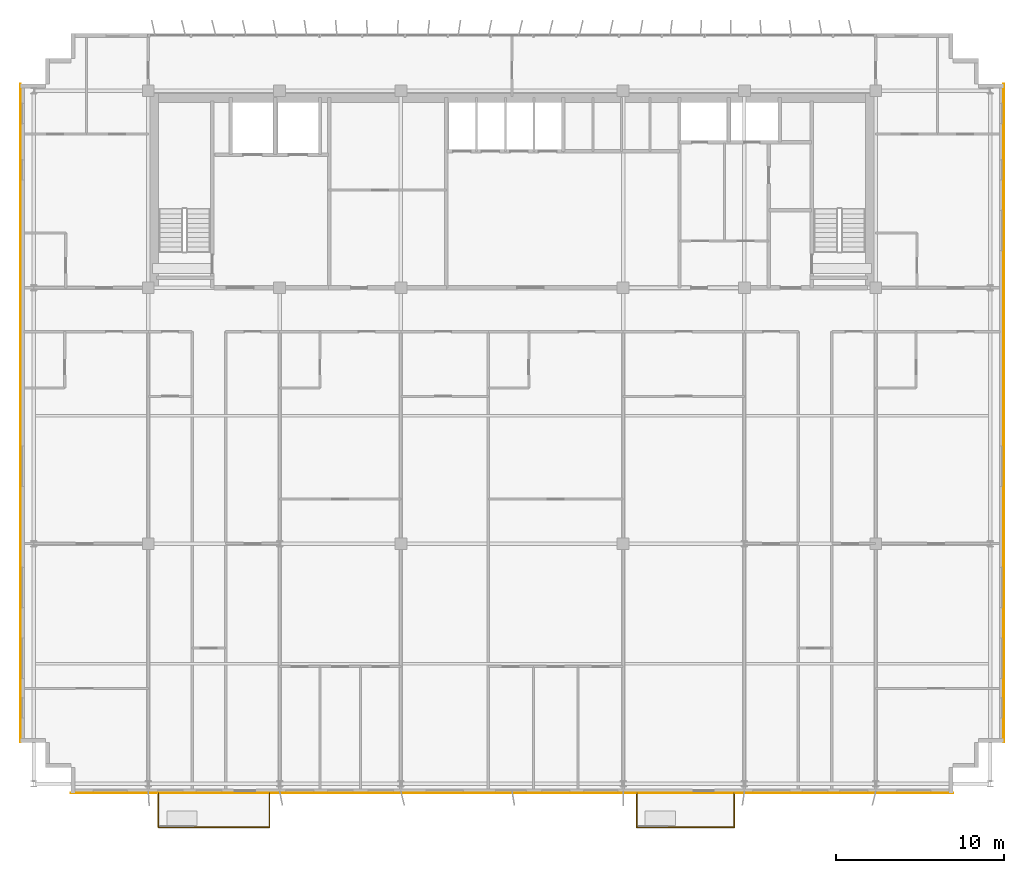
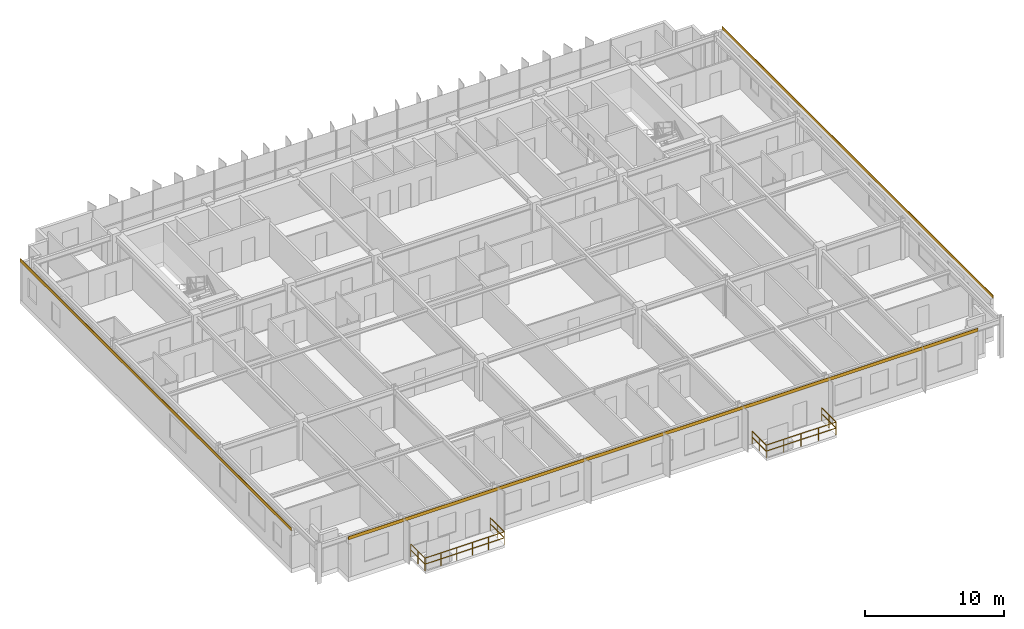
# One storey, part 22 of 23: 6 railings, 3 coverings.
"""IFC4 building model written with IfcOpenShell, lengths in metres."""

from ifc_helpers import new_model, si_unit, direction, frame, origin, origin_2d, place, context, subcontext, project, spatial, rectangle, extrude, source, transform, mapped, material, layer, layer_set, type_object, element, save


model = new_model("IFC4")

# Units and contexts
model_context = context("Model", 3, precision=1e-05, world=origin(), true_north=direction((0.0, 1.0)))
body_context = subcontext(model_context, "Body", "Model", "MODEL_VIEW")
ifc_project = project(units=[si_unit("LENGTHUNIT", "METRE"), si_unit("AREAUNIT", "SQUARE_METRE"), si_unit("VOLUMEUNIT", "CUBIC_METRE"), si_unit("PLANEANGLEUNIT", "RADIAN"), si_unit("MASSUNIT", "GRAM", prefix="KILO")], contexts=[model_context])

# Site, building, storey
site_placement = place(None, origin())
site = spatial("IfcSite", under=ifc_project, at=site_placement, CompositionType="ELEMENT")
building_placement = place(site_placement, origin())
building = spatial("IfcBuilding", under=site, at=building_placement, Name="Trelvane Seafront Commons", CompositionType="ELEMENT")
storey_placement = place(building_placement, frame((0.0, 0.0, 204.89990234375)))
storey = spatial("IfcBuildingStorey", under=building, at=storey_placement, Name="L53", CompositionType="ELEMENT", Elevation=204.89990234375)

# Railings
ifc_material_1 = material(Name="Stainless steel balustrade", Category="steel")
railing_type = type_object("IfcRailingType", Name="ARCH-RAIL-BAL1150", PredefinedType="BALUSTRADE", material=ifc_material_1)
railing_1_placement = place(storey_placement, frame((16.199951171875, 3.39990234375, 0.0)))
element("IfcRailing", 1, at=railing_1_placement, inside=storey, type_object=railing_type, Name="RL-L53-BAL0-01", PredefinedType="BALUSTRADE", context=body_context, shape_type="SweptSolid", body=[
    extrude(rectangle(XDim=0.048095703125, YDim=0.048095703125, at=origin_2d()), frame((0.0, 0.0, 1.1259765625), z_axis=(0.0, -1.0, 0.0), x_axis=(1.0, 0.0, 0.0)), (0.0, 0.0, 1.0), 2.039794921875),
    extrude(rectangle(XDim=0.048095703125, YDim=0.048095703125, at=origin_2d()), frame((0.0, 0.0, 0.597900390625), z_axis=(0.0, -1.0, 0.0), x_axis=(1.0, 0.0, 0.0)), (0.0, 0.0, 1.0), 2.039794921875),
    extrude(rectangle(XDim=0.0419921875, YDim=0.0419921875, at=origin_2d()), origin(), (0.0, 0.0, 1.0), 1.1259765625),
    extrude(rectangle(XDim=0.0419921875, YDim=0.0419921875, at=origin_2d()), frame((0.0, -1.02001953125, 0.0)), (0.0, 0.0, 1.0), 1.1259765625),
    extrude(rectangle(XDim=0.0419921875, YDim=0.0419921875, at=origin_2d()), frame((0.0, -2.039794921875, 0.0)), (0.0, 0.0, 1.0), 1.1259765625),
])
railing_2_placement = place(storey_placement, frame((16.199951171875, 1.360107421875, 0.0)))
element("IfcRailing", 2, at=railing_2_placement, inside=storey, type_object=railing_type, Name="RL-L53-BAL0-02", PredefinedType="BALUSTRADE", context=body_context, shape_type="SweptSolid", body=[
    extrude(rectangle(XDim=0.048095703125, YDim=0.048095703125, at=origin_2d()), frame((0.0, 0.0, 1.1259765625), z_axis=(1.0, 0.0, 0.0), x_axis=(0.0, 1.0, 0.0)), (0.0, 0.0, 1.0), 6.60009765625),
    extrude(rectangle(XDim=0.048095703125, YDim=0.048095703125, at=origin_2d()), frame((0.0, 0.0, 0.597900390625), z_axis=(1.0, 0.0, 0.0), x_axis=(0.0, 1.0, 0.0)), (0.0, 0.0, 1.0), 6.60009765625),
    extrude(rectangle(XDim=0.0419921875, YDim=0.0419921875, at=origin_2d()), origin(), (0.0, 0.0, 1.0), 1.1259765625),
    extrude(rectangle(XDim=0.0419921875, YDim=0.0419921875, at=origin_2d()), frame((1.320068359375, 0.0, 0.0)), (0.0, 0.0, 1.0), 1.1259765625),
    extrude(rectangle(XDim=0.0419921875, YDim=0.0419921875, at=origin_2d()), frame((2.64013671875, 0.0, 0.0)), (0.0, 0.0, 1.0), 1.1259765625),
    extrude(rectangle(XDim=0.0419921875, YDim=0.0419921875, at=origin_2d()), frame((3.9599609375, 0.0, 0.0)), (0.0, 0.0, 1.0), 1.1259765625),
    extrude(rectangle(XDim=0.0419921875, YDim=0.0419921875, at=origin_2d()), frame((5.280029296875, 0.0, 0.0)), (0.0, 0.0, 1.0), 1.1259765625),
    extrude(rectangle(XDim=0.0419921875, YDim=0.0419921875, at=origin_2d()), frame((6.60009765625, 0.0, 0.0)), (0.0, 0.0, 1.0), 1.1259765625),
])
railing_3_placement = place(storey_placement, frame((22.800048828125, 1.360107421875, 0.0)))
element("IfcRailing", 3, at=railing_3_placement, inside=storey, type_object=railing_type, Name="RL-L53-BAL0-03", PredefinedType="BALUSTRADE", context=body_context, shape_type="SweptSolid", body=[
    extrude(rectangle(XDim=0.048095703125, YDim=0.048095703125, at=origin_2d()), frame((0.0, 0.0, 1.1259765625), z_axis=(0.0, 1.0, 0.0), x_axis=(-1.0, 0.0, 0.0)), (0.0, 0.0, 1.0), 2.039794921875),
    extrude(rectangle(XDim=0.048095703125, YDim=0.048095703125, at=origin_2d()), frame((0.0, 0.0, 0.597900390625), z_axis=(0.0, 1.0, 0.0), x_axis=(-1.0, 0.0, 0.0)), (0.0, 0.0, 1.0), 2.039794921875),
    extrude(rectangle(XDim=0.0419921875, YDim=0.0419921875, at=origin_2d()), origin(), (0.0, 0.0, 1.0), 1.1259765625),
    extrude(rectangle(XDim=0.0419921875, YDim=0.0419921875, at=origin_2d()), frame((0.0, 1.02001953125, 0.0)), (0.0, 0.0, 1.0), 1.1259765625),
    extrude(rectangle(XDim=0.0419921875, YDim=0.0419921875, at=origin_2d()), frame((0.0, 2.039794921875, 0.0)), (0.0, 0.0, 1.0), 1.1259765625),
])
railing_4_placement = place(storey_placement, frame((44.60009765625, 3.39990234375, 0.0)))
element("IfcRailing", 4, at=railing_4_placement, inside=storey, type_object=railing_type, Name="RL-L53-BAL1-01", PredefinedType="BALUSTRADE", context=body_context, shape_type="SweptSolid", body=[
    extrude(rectangle(XDim=0.048095703125, YDim=0.048095703125, at=origin_2d()), frame((0.0, 0.0, 1.1259765625), z_axis=(0.0, -1.0, 0.0), x_axis=(1.0, 0.0, 0.0)), (0.0, 0.0, 1.0), 2.039794921875),
    extrude(rectangle(XDim=0.048095703125, YDim=0.048095703125, at=origin_2d()), frame((0.0, 0.0, 0.597900390625), z_axis=(0.0, -1.0, 0.0), x_axis=(1.0, 0.0, 0.0)), (0.0, 0.0, 1.0), 2.039794921875),
    extrude(rectangle(XDim=0.0419921875, YDim=0.0419921875, at=origin_2d()), origin(), (0.0, 0.0, 1.0), 1.1259765625),
    extrude(rectangle(XDim=0.0419921875, YDim=0.0419921875, at=origin_2d()), frame((0.0, -1.02001953125, 0.0)), (0.0, 0.0, 1.0), 1.1259765625),
    extrude(rectangle(XDim=0.0419921875, YDim=0.0419921875, at=origin_2d()), frame((0.0, -2.039794921875, 0.0)), (0.0, 0.0, 1.0), 1.1259765625),
])
railing_5_placement = place(storey_placement, frame((44.60009765625, 1.360107421875, 0.0)))
element("IfcRailing", 5, at=railing_5_placement, inside=storey, type_object=railing_type, Name="RL-L53-BAL1-02", PredefinedType="BALUSTRADE", context=body_context, shape_type="SweptSolid", body=[
    extrude(rectangle(XDim=0.048095703125, YDim=0.048095703125, at=origin_2d()), frame((0.0, 0.0, 1.1259765625), z_axis=(1.0, 0.0, 0.0), x_axis=(0.0, 1.0, 0.0)), (0.0, 0.0, 1.0), 5.7998046875),
    extrude(rectangle(XDim=0.048095703125, YDim=0.048095703125, at=origin_2d()), frame((0.0, 0.0, 0.597900390625), z_axis=(1.0, 0.0, 0.0), x_axis=(0.0, 1.0, 0.0)), (0.0, 0.0, 1.0), 5.7998046875),
    extrude(rectangle(XDim=0.0419921875, YDim=0.0419921875, at=origin_2d()), origin(), (0.0, 0.0, 1.0), 1.1259765625),
    extrude(rectangle(XDim=0.0419921875, YDim=0.0419921875, at=origin_2d()), frame((1.449951171875, 0.0, 0.0)), (0.0, 0.0, 1.0), 1.1259765625),
    extrude(rectangle(XDim=0.0419921875, YDim=0.0419921875, at=origin_2d()), frame((2.89990234375, 0.0, 0.0)), (0.0, 0.0, 1.0), 1.1259765625),
    extrude(rectangle(XDim=0.0419921875, YDim=0.0419921875, at=origin_2d()), frame((4.349853515625, 0.0, 0.0)), (0.0, 0.0, 1.0), 1.1259765625),
    extrude(rectangle(XDim=0.0419921875, YDim=0.0419921875, at=origin_2d()), frame((5.7998046875, 0.0, 0.0)), (0.0, 0.0, 1.0), 1.1259765625),
])
railing_6_placement = place(storey_placement, frame((50.39990234375, 1.360107421875, 0.0)))
element("IfcRailing", 6, at=railing_6_placement, inside=storey, type_object=railing_type, Name="RL-L53-BAL1-03", PredefinedType="BALUSTRADE", context=body_context, shape_type="SweptSolid", body=[
    extrude(rectangle(XDim=0.048095703125, YDim=0.048095703125, at=origin_2d()), frame((0.0, 0.0, 1.1259765625), z_axis=(0.0, 1.0, 0.0), x_axis=(-1.0, 0.0, 0.0)), (0.0, 0.0, 1.0), 2.039794921875),
    extrude(rectangle(XDim=0.048095703125, YDim=0.048095703125, at=origin_2d()), frame((0.0, 0.0, 0.597900390625), z_axis=(0.0, 1.0, 0.0), x_axis=(-1.0, 0.0, 0.0)), (0.0, 0.0, 1.0), 2.039794921875),
    extrude(rectangle(XDim=0.0419921875, YDim=0.0419921875, at=origin_2d()), origin(), (0.0, 0.0, 1.0), 1.1259765625),
    extrude(rectangle(XDim=0.0419921875, YDim=0.0419921875, at=origin_2d()), frame((0.0, 1.02001953125, 0.0)), (0.0, 0.0, 1.0), 1.1259765625),
    extrude(rectangle(XDim=0.0419921875, YDim=0.0419921875, at=origin_2d()), frame((0.0, 2.039794921875, 0.0)), (0.0, 0.0, 1.0), 1.1259765625),
])

# Coverings
ifc_material_2 = material(Name="Anodised pale-silver aluminium", Category="aluminium")
ifc_layer = layer(ifc_material_2, 0.034912109375, Name="ARCH-COV-CLAD35")
ifc_layer_set = layer_set([ifc_layer], Name="Anodised pale-silver aluminium")
covering_type = type_object("IfcCoveringType", Name="ARCH-COV-CLAD35", PredefinedType="CLADDING", material=ifc_layer_set)
shared_shape_1 = source(origin(), body_context, "Body", "SweptSolid", [
    extrude(rectangle(XDim=39.10009765625, YDim=0.034912109375, at=origin_2d()), origin(), (0.0, 0.0, 1.0), 0.280029296875),
])
for number, where, z_axis, x_axis, name in (
    (7, (8.0, 25.949951171875, 3.3203125), (0.0, 0.0, 1.0), (0.0, 1.0, 0.0), "CLD-L53-00223"),
    (8, (66.39990234375, 25.949951171875, 3.3203125), (0.0, 0.0, 1.0), (0.0, -1.0, 0.0), "CLD-L53-00224"),
):
    element("IfcCovering", number, at=place(storey_placement, frame(where, z_axis=z_axis, x_axis=x_axis)), inside=storey, type_object=covering_type, Name=name, PredefinedType="CLADDING", context=body_context, shape_type="MappedRepresentation", body=[
        mapped(shared_shape_1, transform((0.0, 0.0, 0.0), x_axis=(1.0, 0.0, 0.0), y_axis=(0.0, 1.0, 0.0), z_axis=(0.0, 0.0, 1.0), scale=1.0)),
    ])
shared_shape_2 = source(origin(), body_context, "Body", "SweptSolid", [
    extrude(rectangle(XDim=52.39990234375, YDim=0.034912109375, at=origin_2d()), origin(), (0.0, 0.0, 1.0), 0.280029296875),
])
covering_placement = place(storey_placement, frame((37.199951171875, 3.39990234375, 3.3203125), z_axis=(0.0, 0.0, 1.0), x_axis=(-1.0, 0.0, 0.0)))
element("IfcCovering", 9, at=covering_placement, inside=storey, type_object=covering_type, Name="CLD-L53-00225", PredefinedType="CLADDING", context=body_context, shape_type="MappedRepresentation", body=[
    mapped(shared_shape_2, transform((0.0, 0.0, 0.0), x_axis=(1.0, 0.0, 0.0), y_axis=(0.0, 1.0, 0.0), z_axis=(0.0, 0.0, 1.0), scale=1.0)),
])

save(model, "model.ifc")
